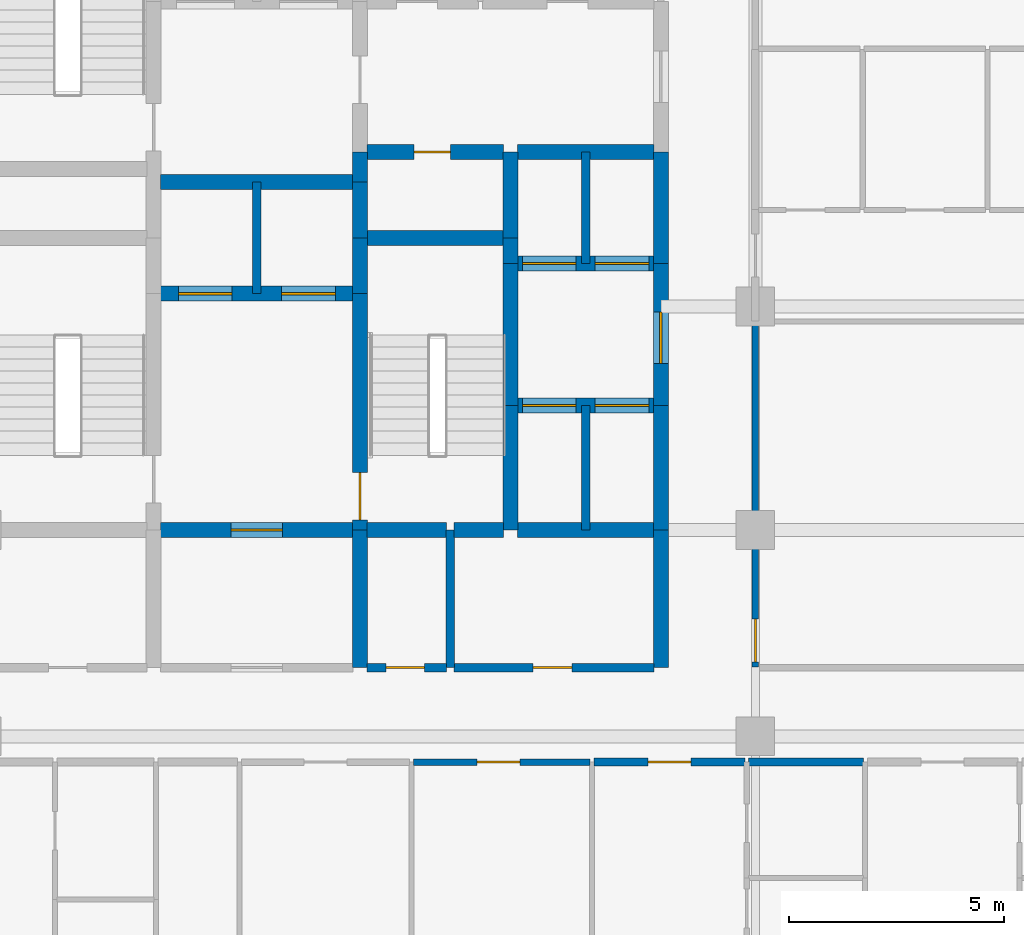
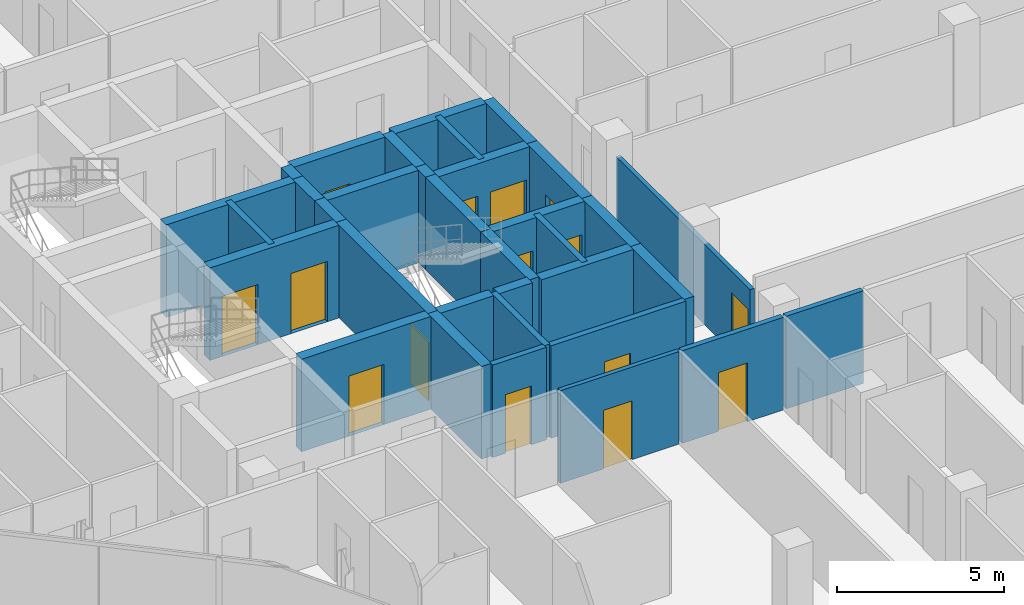
# One storey, part 26 of 32: 34 walls, 15 doors, 15 openings.
"""IFC4 building model written with IfcOpenShell, lengths in metres."""

from ifc_helpers import new_model, si_unit, direction, frame, frame_2d, origin, place, context, subcontext, project, spatial, rectangle, extrude, material, layer, layer_set, type_object, element, fill, save


model = new_model("IFC4")

# Units and contexts
model_context = context("Model", 3, precision=1e-05, world=origin(), true_north=direction((0.0, 1.0)))
body_context = subcontext(model_context, "Body", "Model", "MODEL_VIEW")
ifc_project = project(units=[si_unit("LENGTHUNIT", "METRE"), si_unit("AREAUNIT", "SQUARE_METRE"), si_unit("VOLUMEUNIT", "CUBIC_METRE"), si_unit("PLANEANGLEUNIT", "RADIAN"), si_unit("MASSUNIT", "GRAM", prefix="KILO")], contexts=[model_context])

# Site, building, storey
site_placement = place(None, origin())
site = spatial("IfcSite", under=ifc_project, at=site_placement, CompositionType="ELEMENT")
building_placement = place(site_placement, origin())
building = spatial("IfcBuilding", under=site, at=building_placement, Name="Keshet Zoharim Tower", CompositionType="ELEMENT")
storey_placement = place(building_placement, frame((0.0, 0.0, 152.0)))
storey = spatial("IfcBuildingStorey", under=building, at=storey_placement, Name="L37", CompositionType="ELEMENT", Elevation=152.0)

# Wall, opening, door
ifc_material_1 = material(Name="Gypsum Plasterboard", Category="gypsum")
ifc_layer_1 = layer(ifc_material_1, 0.14990234375)
ifc_layer_set_1 = layer_set([ifc_layer_1], Name="Gypsum Plasterboard")
wall_type_1 = type_object("IfcWallType", Name="WL-CLIN-150", PredefinedType="STANDARD", material=ifc_layer_set_1)
wall_1_placement = place(storey_placement, frame((33.0, 19.510009765625, 0.0), z_axis=(0.0, 0.0, 1.0), x_axis=(0.0, 1.0, 0.0)))
wall_1 = element("IfcWall", 1, at=wall_1_placement, inside=storey, type_object=wall_type_1, Name="L37 Interior Wall 070", PredefinedType="STANDARD", context=body_context, shape_type="SweptSolid", body=[
    extrude(rectangle(XDim=8.0400390625, YDim=0.14990234375, at=frame_2d((4.02001953125, 0.0))), origin(), (0.0, 0.0, 1.0), 2.93505859375),
])
opening_1_placement = place(wall_1_placement, frame((0.1201171875, 0.0, 0.0)))
opening_1 = element("IfcOpeningElement", 2, at=opening_1_placement, cuts=wall_1, Name="Opening D-F310", PredefinedType="OPENING", context=body_context, shape_type="SweptSolid", body=[
    extrude(rectangle(XDim=1.0, YDim=2.14990234375, at=frame_2d((0.5, 1.074951171875))), frame((0.0, 0.0849609375, 0.0), z_axis=(0.0, -1.0, 0.0), x_axis=(1.0, 0.0, 0.0)), (0.0, 0.0, 1.0), 0.169921875),
])
ifc_material_2 = material(Name="Hardwood Timber", Category="wood")
door_type_1 = type_object("IfcDoorType", Name="DR-FD30-100", OperationType="NOTDEFINED", PredefinedType="DOOR", material=ifc_material_2)
door_1_placement = place(opening_1_placement, origin())
door_1 = element("IfcDoor", 3, at=door_1_placement, inside=storey, type_object=door_type_1, Name="L37 South East Residents Services Suite Door 2", OperationType="SINGLE_SWING_LEFT", OverallHeight=2.14990234375, OverallWidth=1.0, PredefinedType="DOOR", context=body_context, shape_type="SweptSolid", body=[
    extrude(rectangle(XDim=1.0, YDim=2.14990234375, at=frame_2d((0.5, 1.074951171875))), frame((0.0, 0.02490234375, 0.0), z_axis=(0.0, -1.0, 0.0), x_axis=(1.0, 0.0, 0.0)), (0.0, 0.0, 1.0), 0.050048828125),
])
fill(opening_1, door_1)

wall_2_placement = place(storey_placement, frame((25.044921875, 17.300048828125, 0.0), z_axis=(0.0, 0.0, 1.0), x_axis=(1.0, 0.0, 0.0)))
wall_2 = element("IfcWall", 4, at=wall_2_placement, inside=storey, type_object=wall_type_1, Name="L37 Interior Wall 134", PredefinedType="STANDARD", context=body_context, shape_type="SweptSolid", body=[
    extrude(rectangle(XDim=4.110107421875, YDim=0.14990234375, at=frame_2d((2.05517578125, 0.0))), origin(), (0.0, 0.0, 1.0), 3.385009765625),
])
opening_2_placement = place(wall_2_placement, frame((1.48291015625, 0.0, 0.0)))
opening_2 = element("IfcOpeningElement", 5, at=opening_2_placement, cuts=wall_2, Name="Opening D-F310", PredefinedType="OPENING", context=body_context, shape_type="SweptSolid", body=[
    extrude(rectangle(XDim=1.0, YDim=2.14990234375, at=frame_2d((0.5, 1.074951171875))), frame((0.0, 0.0849609375, 0.0), z_axis=(0.0, -1.0, 0.0), x_axis=(1.0, 0.0, 0.0)), (0.0, 0.0, 1.0), 0.169921875),
])
door_2_placement = place(opening_2_placement, origin())
door_2 = element("IfcDoor", 6, at=door_2_placement, inside=storey, type_object=door_type_1, Name="L37 Residents Study Lounge Door", OperationType="SINGLE_SWING_RIGHT", OverallHeight=2.14990234375, OverallWidth=1.0, PredefinedType="DOOR", context=body_context, shape_type="SweptSolid", body=[
    extrude(rectangle(XDim=1.0, YDim=2.14990234375, at=frame_2d((0.5, 1.074951171875))), frame((0.0, 0.02490234375, 0.0), z_axis=(0.0, -1.0, 0.0), x_axis=(1.0, 0.0, 0.0)), (0.0, 0.0, 1.0), 0.050048828125),
])
fill(opening_2, door_2)

# Wall
ifc_material_3 = material(Name="Concrete C60/75", Category="concrete")
ifc_layer_2 = layer(ifc_material_3, 0.35009765625)
ifc_layer_set_2 = layer_set([ifc_layer_2], Name="Concrete C60/75")
wall_type_2 = type_object("IfcWallType", Name="WL-CORE-350", PredefinedType="SHEAR", material=ifc_layer_set_2)
wall_3_placement = place(storey_placement, frame((23.800048828125, 19.5, 0.0), z_axis=(0.0, 0.0, 1.0), x_axis=(0.0, 1.0, 0.0)))
element("IfcWall", 7, at=wall_3_placement, inside=storey, type_object=wall_type_2, Name="L37 Core Shear Wall 038", PredefinedType="SHEAR", context=body_context, shape_type="SweptSolid", body=[
    extrude(rectangle(XDim=3.199951171875, YDim=0.35009765625, at=frame_2d((1.60009765625, 0.0))), origin(), (0.0, 0.0, 1.0), 3.385009765625),
])

# Wall, opening, door
wall_4_placement = place(storey_placement, frame((23.800048828125, 22.699951171875, 0.0), z_axis=(0.0, 0.0, 1.0), x_axis=(0.0, 1.0, 0.0)))
wall_4 = element("IfcWall", 8, at=wall_4_placement, inside=storey, type_object=wall_type_2, Name="L37 Core Shear Wall 039", PredefinedType="SHEAR", context=body_context, shape_type="SweptSolid", body=[
    extrude(rectangle(XDim=5.5, YDim=0.35009765625, at=frame_2d((2.75, 0.0))), origin(), (0.0, 0.0, 1.0), 3.385009765625),
])
opening_3_placement = place(wall_4_placement, frame((0.235107421875, 0.0, 0.0)))
opening_3 = element("IfcOpeningElement", 9, at=opening_3_placement, cuts=wall_4, Name="Opening D-F611", PredefinedType="OPENING", context=body_context, shape_type="SweptSolid", body=[
    extrude(rectangle(XDim=1.10009765625, YDim=2.14990234375, at=frame_2d((0.550048828125, 1.074951171875))), frame((0.0, 0.18505859375, 0.0), z_axis=(0.0, -1.0, 0.0), x_axis=(1.0, 0.0, 0.0)), (0.0, 0.0, 1.0), 0.3701171875),
])
door_type_2 = type_object("IfcDoorType", Name="DR-FD60-110", OperationType="NOTDEFINED", PredefinedType="DOOR", material=ifc_material_2)
door_3_placement = place(opening_3_placement, frame((1.10009765625, 0.0, 0.0), z_axis=(0.0, 0.0, 1.0), x_axis=(-1.0, 0.0, 0.0)))
door_3 = element("IfcDoor", 10, at=door_3_placement, inside=storey, type_object=door_type_2, Name="L37 Exit Stair ST-03 Fire Door", OperationType="SINGLE_SWING_LEFT", OverallHeight=2.14990234375, OverallWidth=1.10009765625, PredefinedType="DOOR", context=body_context, shape_type="SweptSolid", body=[
    extrude(rectangle(XDim=1.10009765625, YDim=2.14990234375, at=frame_2d((0.550048828125, 1.074951171875))), frame((0.0, 0.02490234375, 0.0), z_axis=(0.0, -1.0, 0.0), x_axis=(1.0, 0.0, 0.0)), (0.0, 0.0, 1.0), 0.050048828125),
])
fill(opening_3, door_3)

# Walls
for number, where, z_axis, x_axis, name in (
    (11, (23.800048828125, 28.199951171875, 0.0), (0.0, 0.0, 1.0), (0.0, 1.0, 0.0), "L37 Core Shear Wall 040"),
    (12, (23.800048828125, 29.5, 0.0), (0.0, 0.0, 1.0), (0.0, 1.0, 0.0), "L37 Core Shear Wall 041"),
):
    element("IfcWall", number, at=place(storey_placement, frame(where, z_axis=z_axis, x_axis=x_axis)), inside=storey, type_object=wall_type_2, Name=name, PredefinedType="SHEAR", context=body_context, shape_type="SweptSolid", body=[
        extrude(rectangle(XDim=1.300048828125, YDim=0.35009765625, at=frame_2d((0.64990234375, 0.0))), origin(), (0.0, 0.0, 1.0), 3.385009765625),
    ])
wall_5_placement = place(storey_placement, frame((23.800048828125, 30.800048828125, 0.0), z_axis=(0.0, 0.0, 1.0), x_axis=(0.0, 1.0, 0.0)))
element("IfcWall", 13, at=wall_5_placement, inside=storey, type_object=wall_type_2, Name="L37 Core Shear Wall 042", PredefinedType="SHEAR", context=body_context, shape_type="SweptSolid", body=[
    extrude(rectangle(XDim=0.699951171875, YDim=0.35009765625, at=frame_2d((0.35009765625, 0.0))), origin(), (0.0, 0.0, 1.0), 3.385009765625),
])
wall_6_placement = place(storey_placement, frame((27.300048828125, 22.699951171875, 0.0), z_axis=(0.0, 0.0, 1.0), x_axis=(0.0, 1.0, 0.0)))
element("IfcWall", 14, at=wall_6_placement, inside=storey, type_object=wall_type_2, Name="L37 Core Shear Wall 048", PredefinedType="SHEAR", context=body_context, shape_type="SweptSolid", body=[
    extrude(rectangle(XDim=2.900146484375, YDim=0.35009765625, at=frame_2d((1.4501953125, 0.0))), origin(), (0.0, 0.0, 1.0), 3.385009765625),
])
wall_7_placement = place(storey_placement, frame((27.300048828125, 25.60009765625, 0.0), z_axis=(0.0, 0.0, 1.0), x_axis=(0.0, 1.0, 0.0)))
element("IfcWall", 15, at=wall_7_placement, inside=storey, type_object=wall_type_2, Name="L37 Core Shear Wall 049", PredefinedType="SHEAR", context=body_context, shape_type="SweptSolid", body=[
    extrude(rectangle(XDim=3.2998046875, YDim=0.35009765625, at=frame_2d((1.64990234375, 0.0))), origin(), (0.0, 0.0, 1.0), 3.385009765625),
])
wall_8_placement = place(storey_placement, frame((27.300048828125, 28.89990234375, 0.0), z_axis=(0.0, 0.0, 1.0), x_axis=(0.0, 1.0, 0.0)))
element("IfcWall", 16, at=wall_8_placement, inside=storey, type_object=wall_type_2, Name="L37 Core Shear Wall 050", PredefinedType="SHEAR", context=body_context, shape_type="SweptSolid", body=[
    extrude(rectangle(XDim=0.60009765625, YDim=0.35009765625, at=frame_2d((0.300048828125, 0.0))), origin(), (0.0, 0.0, 1.0), 3.385009765625),
])
wall_9_placement = place(storey_placement, frame((27.300048828125, 29.5, 0.0), z_axis=(0.0, 0.0, 1.0), x_axis=(0.0, 1.0, 0.0)))
element("IfcWall", 17, at=wall_9_placement, inside=storey, type_object=wall_type_2, Name="L37 Core Shear Wall 051", PredefinedType="SHEAR", context=body_context, shape_type="SweptSolid", body=[
    extrude(rectangle(XDim=2.0, YDim=0.35009765625, at=frame_2d((1.0, 0.0))), origin(), (0.0, 0.0, 1.0), 3.385009765625),
])
wall_10_placement = place(storey_placement, frame((30.800048828125, 19.5, 0.0), z_axis=(0.0, 0.0, 1.0), x_axis=(0.0, 1.0, 0.0)))
element("IfcWall", 18, at=wall_10_placement, inside=storey, type_object=wall_type_2, Name="L37 Core Shear Wall 058", PredefinedType="SHEAR", context=body_context, shape_type="SweptSolid", body=[
    extrude(rectangle(XDim=3.199951171875, YDim=0.35009765625, at=frame_2d((1.60009765625, 0.0))), origin(), (0.0, 0.0, 1.0), 3.385009765625),
])
wall_11_placement = place(storey_placement, frame((30.800048828125, 22.699951171875, 0.0), z_axis=(0.0, 0.0, 1.0), x_axis=(0.0, 1.0, 0.0)))
element("IfcWall", 19, at=wall_11_placement, inside=storey, type_object=wall_type_2, Name="L37 Core Shear Wall 059", PredefinedType="SHEAR", context=body_context, shape_type="SweptSolid", body=[
    extrude(rectangle(XDim=2.900146484375, YDim=0.35009765625, at=frame_2d((1.4501953125, 0.0))), origin(), (0.0, 0.0, 1.0), 3.385009765625),
])

# Wall, opening, door
wall_12_placement = place(storey_placement, frame((30.800048828125, 25.60009765625, 0.0), z_axis=(0.0, 0.0, 1.0), x_axis=(0.0, 1.0, 0.0)))
wall_12 = element("IfcWall", 20, at=wall_12_placement, inside=storey, type_object=wall_type_2, Name="L37 Core Shear Wall 060", PredefinedType="SHEAR", context=body_context, shape_type="SweptSolid", body=[
    extrude(rectangle(XDim=3.2998046875, YDim=0.35009765625, at=frame_2d((1.64990234375, 0.0))), origin(), (0.0, 0.0, 1.0), 3.385009765625),
])
opening_4_placement = place(wall_12_placement, frame((0.97802734375, 0.0, 0.0)))
opening_4 = element("IfcOpeningElement", 21, at=opening_4_placement, cuts=wall_12, Name="Opening D-F612", PredefinedType="OPENING", context=body_context, shape_type="SweptSolid", body=[
    extrude(rectangle(XDim=1.199951171875, YDim=2.199951171875, at=frame_2d((0.60009765625, 1.10009765625))), frame((0.0, 0.18505859375, 0.0), z_axis=(0.0, -1.0, 0.0), x_axis=(1.0, 0.0, 0.0)), (0.0, 0.0, 1.0), 0.3701171875),
])
door_type_3 = type_object("IfcDoorType", Name="DR-FD60-120", OperationType="NOTDEFINED", PredefinedType="DOOR", material=ifc_material_2)
door_4_placement = place(opening_4_placement, origin())
door_4 = element("IfcDoor", 22, at=door_4_placement, inside=storey, type_object=door_type_3, Name="L37 East Lift Lobby Fire Door", OperationType="SINGLE_SWING_LEFT", OverallHeight=2.199951171875, OverallWidth=1.199951171875, PredefinedType="DOOR", context=body_context, shape_type="SweptSolid", body=[
    extrude(rectangle(XDim=1.199951171875, YDim=2.199951171875, at=frame_2d((0.60009765625, 1.10009765625))), frame((0.0, 0.02490234375, 0.0), z_axis=(0.0, -1.0, 0.0), x_axis=(1.0, 0.0, 0.0)), (0.0, 0.0, 1.0), 0.050048828125),
])
fill(opening_4, door_4)

# Wall
wall_13_placement = place(storey_placement, frame((30.800048828125, 28.89990234375, 0.0), z_axis=(0.0, 0.0, 1.0), x_axis=(0.0, 1.0, 0.0)))
element("IfcWall", 23, at=wall_13_placement, inside=storey, type_object=wall_type_2, Name="L37 Core Shear Wall 061", PredefinedType="SHEAR", context=body_context, shape_type="SweptSolid", body=[
    extrude(rectangle(XDim=2.60009765625, YDim=0.35009765625, at=frame_2d((1.300048828125, 0.0))), origin(), (0.0, 0.0, 1.0), 3.385009765625),
])

# Wall, opening, door
wall_14_placement = place(storey_placement, frame((19.159912109375, 22.699951171875, 0.0), z_axis=(0.0, 0.0, 1.0), x_axis=(1.0, 0.0, 0.0)))
wall_14 = element("IfcWall", 24, at=wall_14_placement, inside=storey, type_object=wall_type_2, Name="L37 Core Shear Wall 153", PredefinedType="SHEAR", context=body_context, shape_type="SweptSolid", body=[
    extrude(rectangle(XDim=4.47998046875, YDim=0.35009765625, at=frame_2d((2.239990234375, 0.0))), origin(), (0.0, 0.0, 1.0), 3.385009765625),
])
opening_5_placement = place(wall_14_placement, frame((1.639892578125, 0.0, 0.0)))
opening_5 = element("IfcOpeningElement", 25, at=opening_5_placement, cuts=wall_14, Name="Opening D-F612", PredefinedType="OPENING", context=body_context, shape_type="SweptSolid", body=[
    extrude(rectangle(XDim=1.199951171875, YDim=2.199951171875, at=frame_2d((0.60009765625, 1.10009765625))), frame((0.0, 0.18505859375, 0.0), z_axis=(0.0, -1.0, 0.0), x_axis=(1.0, 0.0, 0.0)), (0.0, 0.0, 1.0), 0.3701171875),
])
door_5_placement = place(opening_5_placement, origin())
door_5 = element("IfcDoor", 26, at=door_5_placement, inside=storey, type_object=door_type_3, Name="L37 South Core Lobby Fire Door", OperationType="SINGLE_SWING_LEFT", OverallHeight=2.199951171875, OverallWidth=1.199951171875, PredefinedType="DOOR", context=body_context, shape_type="SweptSolid", body=[
    extrude(rectangle(XDim=1.199951171875, YDim=2.199951171875, at=frame_2d((0.60009765625, 1.10009765625))), frame((0.0, 0.02490234375, 0.0), z_axis=(0.0, -1.0, 0.0), x_axis=(1.0, 0.0, 0.0)), (0.0, 0.0, 1.0), 0.050048828125),
])
fill(opening_5, door_5)

# Walls
wall_15_placement = place(storey_placement, frame((23.9599609375, 22.699951171875, 0.0), z_axis=(0.0, 0.0, 1.0), x_axis=(1.0, 0.0, 0.0)))
element("IfcWall", 27, at=wall_15_placement, inside=storey, type_object=wall_type_2, Name="L37 Core Shear Wall 154", PredefinedType="SHEAR", context=body_context, shape_type="SweptSolid", body=[
    extrude(rectangle(XDim=1.85498046875, YDim=0.35009765625, at=frame_2d((0.927490234375, 0.0))), origin(), (0.0, 0.0, 1.0), 3.385009765625),
])
wall_16_placement = place(storey_placement, frame((25.985107421875, 22.699951171875, 0.0), z_axis=(0.0, 0.0, 1.0), x_axis=(1.0, 0.0, 0.0)))
element("IfcWall", 28, at=wall_16_placement, inside=storey, type_object=wall_type_2, Name="L37 Core Shear Wall 155", PredefinedType="SHEAR", context=body_context, shape_type="SweptSolid", body=[
    extrude(rectangle(XDim=1.15478515625, YDim=0.35009765625, at=frame_2d((0.577392578125, 0.0))), origin(), (0.0, 0.0, 1.0), 3.385009765625),
])
wall_17_placement = place(storey_placement, frame((27.4599609375, 22.699951171875, 0.0), z_axis=(0.0, 0.0, 1.0), x_axis=(1.0, 0.0, 0.0)))
element("IfcWall", 29, at=wall_17_placement, inside=storey, type_object=wall_type_2, Name="L37 Core Shear Wall 156", PredefinedType="SHEAR", context=body_context, shape_type="SweptSolid", body=[
    extrude(rectangle(XDim=3.179931640625, YDim=0.35009765625, at=frame_2d((1.58984375, 0.0))), origin(), (0.0, 0.0, 1.0), 3.385009765625),
])

# Wall, openings, doors
wall_18_placement = place(storey_placement, frame((27.4599609375, 25.60009765625, 0.0), z_axis=(0.0, 0.0, 1.0), x_axis=(1.0, 0.0, 0.0)))
wall_18 = element("IfcWall", 30, at=wall_18_placement, inside=storey, type_object=wall_type_2, Name="L37 Core Shear Wall 160", PredefinedType="SHEAR", context=body_context, shape_type="SweptSolid", body=[
    extrude(rectangle(XDim=3.179931640625, YDim=0.35009765625, at=frame_2d((1.58984375, 0.0))), origin(), (0.0, 0.0, 1.0), 3.385009765625),
])
opening_6_placement = place(wall_18_placement, frame((0.1201171875, 0.0, 0.0)))
opening_6 = element("IfcOpeningElement", 31, at=opening_6_placement, cuts=wall_18, Name="Opening LD-01", PredefinedType="OPENING", context=body_context, shape_type="SweptSolid", body=[
    extrude(rectangle(XDim=1.25, YDim=2.199951171875, at=frame_2d((0.625, 1.10009765625))), frame((0.0, 0.18505859375, 0.0), z_axis=(0.0, -1.0, 0.0), x_axis=(1.0, 0.0, 0.0)), (0.0, 0.0, 1.0), 0.3701171875),
])
opening_7_placement = place(wall_18_placement, frame((1.81005859375, 0.0, 0.0)))
opening_7 = element("IfcOpeningElement", 32, at=opening_7_placement, cuts=wall_18, Name="Opening LD-01", PredefinedType="OPENING", context=body_context, shape_type="SweptSolid", body=[
    extrude(rectangle(XDim=1.25, YDim=2.199951171875, at=frame_2d((0.625, 1.10009765625))), frame((0.0, 0.18505859375, 0.0), z_axis=(0.0, -1.0, 0.0), x_axis=(1.0, 0.0, 0.0)), (0.0, 0.0, 1.0), 0.3701171875),
])
ifc_material_4 = material(Name="Steel S355", Category="steel")
door_type_4 = type_object("IfcDoorType", Name="DR-LD01-125", OperationType="DOUBLE_DOOR_SLIDING", PredefinedType="DOOR", material=ifc_material_4)
door_6_placement = place(opening_6_placement, origin())
door_6 = element("IfcDoor", 33, at=door_6_placement, inside=storey, type_object=door_type_4, Name="L37 Passenger Lift Landing Door LF-07", OperationType="DOUBLE_DOOR_SLIDING", OverallHeight=2.199951171875, OverallWidth=1.25, PredefinedType="DOOR", context=body_context, shape_type="SweptSolid", body=[
    extrude(rectangle(XDim=1.25, YDim=2.199951171875, at=frame_2d((0.625, 1.10009765625))), frame((0.0, 0.02490234375, 0.0), z_axis=(0.0, -1.0, 0.0), x_axis=(1.0, 0.0, 0.0)), (0.0, 0.0, 1.0), 0.050048828125),
])
fill(opening_6, door_6)
door_7_placement = place(opening_7_placement, origin())
door_7 = element("IfcDoor", 34, at=door_7_placement, inside=storey, type_object=door_type_4, Name="L37 Passenger Lift Landing Door LF-08", OperationType="DOUBLE_DOOR_SLIDING", OverallHeight=2.199951171875, OverallWidth=1.25, PredefinedType="DOOR", context=body_context, shape_type="SweptSolid", body=[
    extrude(rectangle(XDim=1.25, YDim=2.199951171875, at=frame_2d((0.625, 1.10009765625))), frame((0.0, 0.02490234375, 0.0), z_axis=(0.0, -1.0, 0.0), x_axis=(1.0, 0.0, 0.0)), (0.0, 0.0, 1.0), 0.050048828125),
])
fill(opening_7, door_7)

wall_19_placement = place(storey_placement, frame((19.159912109375, 28.199951171875, 0.0), z_axis=(0.0, 0.0, 1.0), x_axis=(1.0, 0.0, 0.0)))
wall_19 = element("IfcWall", 35, at=wall_19_placement, inside=storey, type_object=wall_type_2, Name="L37 Core Shear Wall 162", PredefinedType="SHEAR", context=body_context, shape_type="SweptSolid", body=[
    extrude(rectangle(XDim=4.47998046875, YDim=0.35009765625, at=frame_2d((2.239990234375, 0.0))), origin(), (0.0, 0.0, 1.0), 3.385009765625),
])
opening_8_placement = place(wall_19_placement, frame((0.4150390625, 0.0, 0.0)))
opening_8 = element("IfcOpeningElement", 36, at=opening_8_placement, cuts=wall_19, Name="Opening LD-01", PredefinedType="OPENING", context=body_context, shape_type="SweptSolid", body=[
    extrude(rectangle(XDim=1.25, YDim=2.199951171875, at=frame_2d((0.625, 1.10009765625))), frame((0.0, 0.18505859375, 0.0), z_axis=(0.0, -1.0, 0.0), x_axis=(1.0, 0.0, 0.0)), (0.0, 0.0, 1.0), 0.3701171875),
])
opening_9_placement = place(wall_19_placement, frame((2.81494140625, 0.0, 0.0)))
opening_9 = element("IfcOpeningElement", 37, at=opening_9_placement, cuts=wall_19, Name="Opening LD-01", PredefinedType="OPENING", context=body_context, shape_type="SweptSolid", body=[
    extrude(rectangle(XDim=1.25, YDim=2.199951171875, at=frame_2d((0.625, 1.10009765625))), frame((0.0, 0.18505859375, 0.0), z_axis=(0.0, -1.0, 0.0), x_axis=(1.0, 0.0, 0.0)), (0.0, 0.0, 1.0), 0.3701171875),
])
door_8_placement = place(opening_8_placement, origin())
door_8 = element("IfcDoor", 38, at=door_8_placement, inside=storey, type_object=door_type_4, Name="L37 Passenger Lift Landing Door LF-09", OperationType="DOUBLE_DOOR_SLIDING", OverallHeight=2.199951171875, OverallWidth=1.25, PredefinedType="DOOR", context=body_context, shape_type="SweptSolid", body=[
    extrude(rectangle(XDim=1.25, YDim=2.199951171875, at=frame_2d((0.625, 1.10009765625))), frame((0.0, 0.02490234375, 0.0), z_axis=(0.0, -1.0, 0.0), x_axis=(1.0, 0.0, 0.0)), (0.0, 0.0, 1.0), 0.050048828125),
])
fill(opening_8, door_8)
door_9_placement = place(opening_9_placement, origin())
door_9 = element("IfcDoor", 39, at=door_9_placement, inside=storey, type_object=door_type_4, Name="L37 Passenger Lift Landing Door LF-10", OperationType="DOUBLE_DOOR_SLIDING", OverallHeight=2.199951171875, OverallWidth=1.25, PredefinedType="DOOR", context=body_context, shape_type="SweptSolid", body=[
    extrude(rectangle(XDim=1.25, YDim=2.199951171875, at=frame_2d((0.625, 1.10009765625))), frame((0.0, 0.02490234375, 0.0), z_axis=(0.0, -1.0, 0.0), x_axis=(1.0, 0.0, 0.0)), (0.0, 0.0, 1.0), 0.050048828125),
])
fill(opening_9, door_9)

wall_20_placement = place(storey_placement, frame((27.4599609375, 28.89990234375, 0.0), z_axis=(0.0, 0.0, 1.0), x_axis=(1.0, 0.0, 0.0)))
wall_20 = element("IfcWall", 40, at=wall_20_placement, inside=storey, type_object=wall_type_2, Name="L37 Core Shear Wall 166", PredefinedType="SHEAR", context=body_context, shape_type="SweptSolid", body=[
    extrude(rectangle(XDim=3.179931640625, YDim=0.35009765625, at=frame_2d((1.58984375, 0.0))), origin(), (0.0, 0.0, 1.0), 3.385009765625),
])
opening_10_placement = place(wall_20_placement, frame((0.1201171875, 0.0, 0.0)))
opening_10 = element("IfcOpeningElement", 41, at=opening_10_placement, cuts=wall_20, Name="Opening LD-01", PredefinedType="OPENING", context=body_context, shape_type="SweptSolid", body=[
    extrude(rectangle(XDim=1.25, YDim=2.199951171875, at=frame_2d((0.625, 1.10009765625))), frame((0.0, 0.18505859375, 0.0), z_axis=(0.0, -1.0, 0.0), x_axis=(1.0, 0.0, 0.0)), (0.0, 0.0, 1.0), 0.3701171875),
])
opening_11_placement = place(wall_20_placement, frame((1.81005859375, 0.0, 0.0)))
opening_11 = element("IfcOpeningElement", 42, at=opening_11_placement, cuts=wall_20, Name="Opening LD-01", PredefinedType="OPENING", context=body_context, shape_type="SweptSolid", body=[
    extrude(rectangle(XDim=1.25, YDim=2.199951171875, at=frame_2d((0.625, 1.10009765625))), frame((0.0, 0.18505859375, 0.0), z_axis=(0.0, -1.0, 0.0), x_axis=(1.0, 0.0, 0.0)), (0.0, 0.0, 1.0), 0.3701171875),
])
door_10_placement = place(opening_10_placement, origin())
door_10 = element("IfcDoor", 43, at=door_10_placement, inside=storey, type_object=door_type_4, Name="L37 Passenger Lift Landing Door LF-05", OperationType="DOUBLE_DOOR_SLIDING", OverallHeight=2.199951171875, OverallWidth=1.25, PredefinedType="DOOR", context=body_context, shape_type="SweptSolid", body=[
    extrude(rectangle(XDim=1.25, YDim=2.199951171875, at=frame_2d((0.625, 1.10009765625))), frame((0.0, 0.02490234375, 0.0), z_axis=(0.0, -1.0, 0.0), x_axis=(1.0, 0.0, 0.0)), (0.0, 0.0, 1.0), 0.050048828125),
])
fill(opening_10, door_10)
door_11_placement = place(opening_11_placement, origin())
door_11 = element("IfcDoor", 44, at=door_11_placement, inside=storey, type_object=door_type_4, Name="L37 Passenger Lift Landing Door LF-06", OperationType="DOUBLE_DOOR_SLIDING", OverallHeight=2.199951171875, OverallWidth=1.25, PredefinedType="DOOR", context=body_context, shape_type="SweptSolid", body=[
    extrude(rectangle(XDim=1.25, YDim=2.199951171875, at=frame_2d((0.625, 1.10009765625))), frame((0.0, 0.02490234375, 0.0), z_axis=(0.0, -1.0, 0.0), x_axis=(1.0, 0.0, 0.0)), (0.0, 0.0, 1.0), 0.050048828125),
])
fill(opening_11, door_11)

# Walls
wall_21_placement = place(storey_placement, frame((23.9599609375, 29.5, 0.0), z_axis=(0.0, 0.0, 1.0), x_axis=(1.0, 0.0, 0.0)))
element("IfcWall", 45, at=wall_21_placement, inside=storey, type_object=wall_type_2, Name="L37 Core Shear Wall 168", PredefinedType="SHEAR", context=body_context, shape_type="SweptSolid", body=[
    extrude(rectangle(XDim=3.179931640625, YDim=0.35009765625, at=frame_2d((1.58984375, 0.0))), origin(), (0.0, 0.0, 1.0), 3.385009765625),
])
wall_22_placement = place(storey_placement, frame((19.159912109375, 30.800048828125, 0.0), z_axis=(0.0, 0.0, 1.0), x_axis=(1.0, 0.0, 0.0)))
element("IfcWall", 46, at=wall_22_placement, inside=storey, type_object=wall_type_2, Name="L37 Core Shear Wall 172", PredefinedType="SHEAR", context=body_context, shape_type="SweptSolid", body=[
    extrude(rectangle(XDim=4.47998046875, YDim=0.35009765625, at=frame_2d((2.239990234375, 0.0))), origin(), (0.0, 0.0, 1.0), 3.385009765625),
])

# Wall, opening, door
wall_23_placement = place(storey_placement, frame((23.9599609375, 31.5, 0.0), z_axis=(0.0, 0.0, 1.0), x_axis=(1.0, 0.0, 0.0)))
wall_23 = element("IfcWall", 47, at=wall_23_placement, inside=storey, type_object=wall_type_2, Name="L37 Core Shear Wall 174", PredefinedType="SHEAR", context=body_context, shape_type="SweptSolid", body=[
    extrude(rectangle(XDim=3.179931640625, YDim=0.35009765625, at=frame_2d((1.58984375, 0.0))), origin(), (0.0, 0.0, 1.0), 3.385009765625),
])
opening_12_placement = place(wall_23_placement, frame((1.093994140625, 0.0, 0.0)))
opening_12 = element("IfcOpeningElement", 48, at=opening_12_placement, cuts=wall_23, Name="Opening D-RS85", PredefinedType="OPENING", context=body_context, shape_type="SweptSolid", body=[
    extrude(rectangle(XDim=0.85009765625, YDim=2.10009765625, at=frame_2d((0.425048828125, 1.050048828125))), frame((0.0, 0.18505859375, 0.0), z_axis=(0.0, -1.0, 0.0), x_axis=(1.0, 0.0, 0.0)), (0.0, 0.0, 1.0), 0.3701171875),
])
door_type_5 = type_object("IfcDoorType", Name="DR-RIS-085", OperationType="NOTDEFINED", PredefinedType="DOOR", material=ifc_material_2)
door_12_placement = place(opening_12_placement, origin())
door_12 = element("IfcDoor", 49, at=door_12_placement, inside=storey, type_object=door_type_5, Name="L37 Telecom Riser Access Cupboard Door", OperationType="SINGLE_SWING_RIGHT", OverallHeight=2.10009765625, OverallWidth=0.85009765625, PredefinedType="DOOR", context=body_context, shape_type="SweptSolid", body=[
    extrude(rectangle(XDim=0.85009765625, YDim=2.10009765625, at=frame_2d((0.425048828125, 1.050048828125))), frame((0.0, 0.02490234375, 0.0), z_axis=(0.0, -1.0, 0.0), x_axis=(1.0, 0.0, 0.0)), (0.0, 0.0, 1.0), 0.050048828125),
])
fill(opening_12, door_12)

# Wall
wall_24_placement = place(storey_placement, frame((27.4599609375, 31.5, 0.0), z_axis=(0.0, 0.0, 1.0), x_axis=(1.0, 0.0, 0.0)))
element("IfcWall", 50, at=wall_24_placement, inside=storey, type_object=wall_type_2, Name="L37 Core Shear Wall 175", PredefinedType="SHEAR", context=body_context, shape_type="SweptSolid", body=[
    extrude(rectangle(XDim=3.179931640625, YDim=0.35009765625, at=frame_2d((1.58984375, 0.0))), origin(), (0.0, 0.0, 1.0), 3.385009765625),
])

# Wall, opening, door
ifc_layer_3 = layer(ifc_material_1, 0.179931640625)
ifc_layer_set_3 = layer_set([ifc_layer_3], Name="Gypsum Plasterboard")
wall_type_3 = type_object("IfcWallType", Name="WL-CORR-180", PredefinedType="STANDARD", material=ifc_layer_set_3)
wall_25_placement = place(storey_placement, frame((29.2451171875, 17.300048828125, 0.0), z_axis=(0.0, 0.0, 1.0), x_axis=(1.0, 0.0, 0.0)))
wall_25 = element("IfcWall", 51, at=wall_25_placement, inside=storey, type_object=wall_type_3, Name="L37 Interior Wall 135", PredefinedType="STANDARD", context=body_context, shape_type="SweptSolid", body=[
    extrude(rectangle(XDim=3.509765625, YDim=0.179931640625, at=frame_2d((1.7548828125, 0.0))), origin(), (0.0, 0.0, 1.0), 3.385009765625),
])
opening_13_placement = place(wall_25_placement, frame((1.2548828125, 0.0, 0.0)))
opening_13 = element("IfcOpeningElement", 52, at=opening_13_placement, cuts=wall_25, Name="Opening D-F310", PredefinedType="OPENING", context=body_context, shape_type="SweptSolid", body=[
    extrude(rectangle(XDim=1.0, YDim=2.14990234375, at=frame_2d((0.5, 1.074951171875))), frame((0.0, 0.10009765625, 0.0), z_axis=(0.0, -1.0, 0.0), x_axis=(1.0, 0.0, 0.0)), (0.0, 0.0, 1.0), 0.199951171875),
])
door_13_placement = place(opening_13_placement, origin())
door_13 = element("IfcDoor", 53, at=door_13_placement, inside=storey, type_object=door_type_1, Name="Apartment 3702 Entrance Door", OperationType="SINGLE_SWING_LEFT", OverallHeight=2.14990234375, OverallWidth=1.0, PredefinedType="DOOR", context=body_context, shape_type="SweptSolid", body=[
    extrude(rectangle(XDim=1.0, YDim=2.14990234375, at=frame_2d((0.5, 1.074951171875))), frame((0.0, 0.02490234375, 0.0), z_axis=(0.0, -1.0, 0.0), x_axis=(1.0, 0.0, 0.0)), (0.0, 0.0, 1.0), 0.050048828125),
])
fill(opening_13, door_13)

# Walls
wall_26_placement = place(storey_placement, frame((32.844970703125, 17.300048828125, 0.0), z_axis=(0.0, 0.0, 1.0), x_axis=(1.0, 0.0, 0.0)))
element("IfcWall", 54, at=wall_26_placement, inside=storey, type_object=wall_type_3, Name="L37 Interior Wall 136", PredefinedType="STANDARD", context=body_context, shape_type="SweptSolid", body=[
    extrude(rectangle(XDim=2.669921875, YDim=0.179931640625, at=frame_2d((1.3349609375, 0.0))), origin(), (0.0, 0.0, 1.0), 3.385009765625),
])
ifc_material_5 = material(Name="Concrete C50/60", Category="concrete")
ifc_layer_4 = layer(ifc_material_5, 0.199951171875)
ifc_layer_set_4 = layer_set([ifc_layer_4], Name="Concrete C50/60")
wall_type_4 = type_object("IfcWallType", Name="WL-FIRE-200", PredefinedType="STANDARD", material=ifc_layer_set_4)
wall_27_placement = place(storey_placement, frame((21.39990234375, 28.199951171875, 0.0), z_axis=(0.0, 0.0, 1.0), x_axis=(0.0, 1.0, 0.0)))
element("IfcWall", 55, at=wall_27_placement, inside=storey, type_object=wall_type_4, Name="L37 Interior Wall 033", PredefinedType="STANDARD", context=body_context, shape_type="SweptSolid", body=[
    extrude(rectangle(XDim=2.60009765625, YDim=0.199951171875, at=frame_2d((1.300048828125, 0.0))), origin(), (0.0, 0.0, 1.0), 3.385009765625),
])
wall_28_placement = place(storey_placement, frame((25.89990234375, 19.5, 0.0), z_axis=(0.0, 0.0, 1.0), x_axis=(0.0, 1.0, 0.0)))
element("IfcWall", 56, at=wall_28_placement, inside=storey, type_object=wall_type_4, Name="L37 Interior Wall 046", PredefinedType="STANDARD", context=body_context, shape_type="SweptSolid", body=[
    extrude(rectangle(XDim=3.199951171875, YDim=0.199951171875, at=frame_2d((1.60009765625, 0.0))), origin(), (0.0, 0.0, 1.0), 3.385009765625),
])
wall_29_placement = place(storey_placement, frame((29.050048828125, 22.699951171875, 0.0), z_axis=(0.0, 0.0, 1.0), x_axis=(0.0, 1.0, 0.0)))
element("IfcWall", 57, at=wall_29_placement, inside=storey, type_object=wall_type_4, Name="L37 Interior Wall 055", PredefinedType="STANDARD", context=body_context, shape_type="SweptSolid", body=[
    extrude(rectangle(XDim=2.900146484375, YDim=0.199951171875, at=frame_2d((1.4501953125, 0.0))), origin(), (0.0, 0.0, 1.0), 3.385009765625),
])
wall_30_placement = place(storey_placement, frame((29.050048828125, 28.89990234375, 0.0), z_axis=(0.0, 0.0, 1.0), x_axis=(0.0, 1.0, 0.0)))
element("IfcWall", 58, at=wall_30_placement, inside=storey, type_object=wall_type_4, Name="L37 Interior Wall 056", PredefinedType="STANDARD", context=body_context, shape_type="SweptSolid", body=[
    extrude(rectangle(XDim=2.60009765625, YDim=0.199951171875, at=frame_2d((1.300048828125, 0.0))), origin(), (0.0, 0.0, 1.0), 3.385009765625),
])

# Wall, opening, door
wall_31_placement = place(storey_placement, frame((23.9599609375, 19.5, 0.0), z_axis=(0.0, 0.0, 1.0), x_axis=(1.0, 0.0, 0.0)))
wall_31 = element("IfcWall", 59, at=wall_31_placement, inside=storey, type_object=wall_type_4, Name="L37 Interior Wall 146", PredefinedType="STANDARD", context=body_context, shape_type="SweptSolid", body=[
    extrude(rectangle(XDim=1.85498046875, YDim=0.199951171875, at=frame_2d((0.927490234375, 0.0))), origin(), (0.0, 0.0, 1.0), 3.385009765625),
])
opening_14_placement = place(wall_31_placement, frame((0.43994140625, 0.0, 0.0)))
opening_14 = element("IfcOpeningElement", 60, at=opening_14_placement, cuts=wall_31, Name="Opening D-F690", PredefinedType="OPENING", context=body_context, shape_type="SweptSolid", body=[
    extrude(rectangle(XDim=0.89990234375, YDim=2.14990234375, at=frame_2d((0.449951171875, 1.074951171875))), frame((0.0, 0.10986328125, 0.0), z_axis=(0.0, -1.0, 0.0), x_axis=(1.0, 0.0, 0.0)), (0.0, 0.0, 1.0), 0.219970703125),
])
door_type_6 = type_object("IfcDoorType", Name="DR-FD60-090", OperationType="NOTDEFINED", PredefinedType="DOOR", material=ifc_material_2)
door_14_placement = place(opening_14_placement, origin())
door_14 = element("IfcDoor", 61, at=door_14_placement, inside=storey, type_object=door_type_6, Name="L37 Cleaners Store Door", OperationType="SINGLE_SWING_LEFT", OverallHeight=2.14990234375, OverallWidth=0.89990234375, PredefinedType="DOOR", context=body_context, shape_type="SweptSolid", body=[
    extrude(rectangle(XDim=0.89990234375, YDim=2.14990234375, at=frame_2d((0.449951171875, 1.074951171875))), frame((0.0, 0.02490234375, 0.0), z_axis=(0.0, -1.0, 0.0), x_axis=(1.0, 0.0, 0.0)), (0.0, 0.0, 1.0), 0.050048828125),
])
fill(opening_14, door_14)

wall_32_placement = place(storey_placement, frame((25.985107421875, 19.5, 0.0), z_axis=(0.0, 0.0, 1.0), x_axis=(1.0, 0.0, 0.0)))
wall_32 = element("IfcWall", 62, at=wall_32_placement, inside=storey, type_object=wall_type_4, Name="L37 Interior Wall 147", PredefinedType="STANDARD", context=body_context, shape_type="SweptSolid", body=[
    extrude(rectangle(XDim=4.65478515625, YDim=0.199951171875, at=frame_2d((2.327392578125, 0.0))), origin(), (0.0, 0.0, 1.0), 3.385009765625),
])
opening_15_placement = place(wall_32_placement, frame((1.844970703125, 0.0, 0.0)))
opening_15 = element("IfcOpeningElement", 63, at=opening_15_placement, cuts=wall_32, Name="Opening D-F690", PredefinedType="OPENING", context=body_context, shape_type="SweptSolid", body=[
    extrude(rectangle(XDim=0.89990234375, YDim=2.14990234375, at=frame_2d((0.449951171875, 1.074951171875))), frame((0.0, 0.10986328125, 0.0), z_axis=(0.0, -1.0, 0.0), x_axis=(1.0, 0.0, 0.0)), (0.0, 0.0, 1.0), 0.219970703125),
])
door_15_placement = place(opening_15_placement, origin())
door_15 = element("IfcDoor", 64, at=door_15_placement, inside=storey, type_object=door_type_6, Name="L37 Meter Room Door", OperationType="SINGLE_SWING_RIGHT", OverallHeight=2.14990234375, OverallWidth=0.89990234375, PredefinedType="DOOR", context=body_context, shape_type="SweptSolid", body=[
    extrude(rectangle(XDim=0.89990234375, YDim=2.14990234375, at=frame_2d((0.449951171875, 1.074951171875))), frame((0.0, 0.02490234375, 0.0), z_axis=(0.0, -1.0, 0.0), x_axis=(1.0, 0.0, 0.0)), (0.0, 0.0, 1.0), 0.050048828125),
])
fill(opening_15, door_15)

save(model, "model.ifc")
